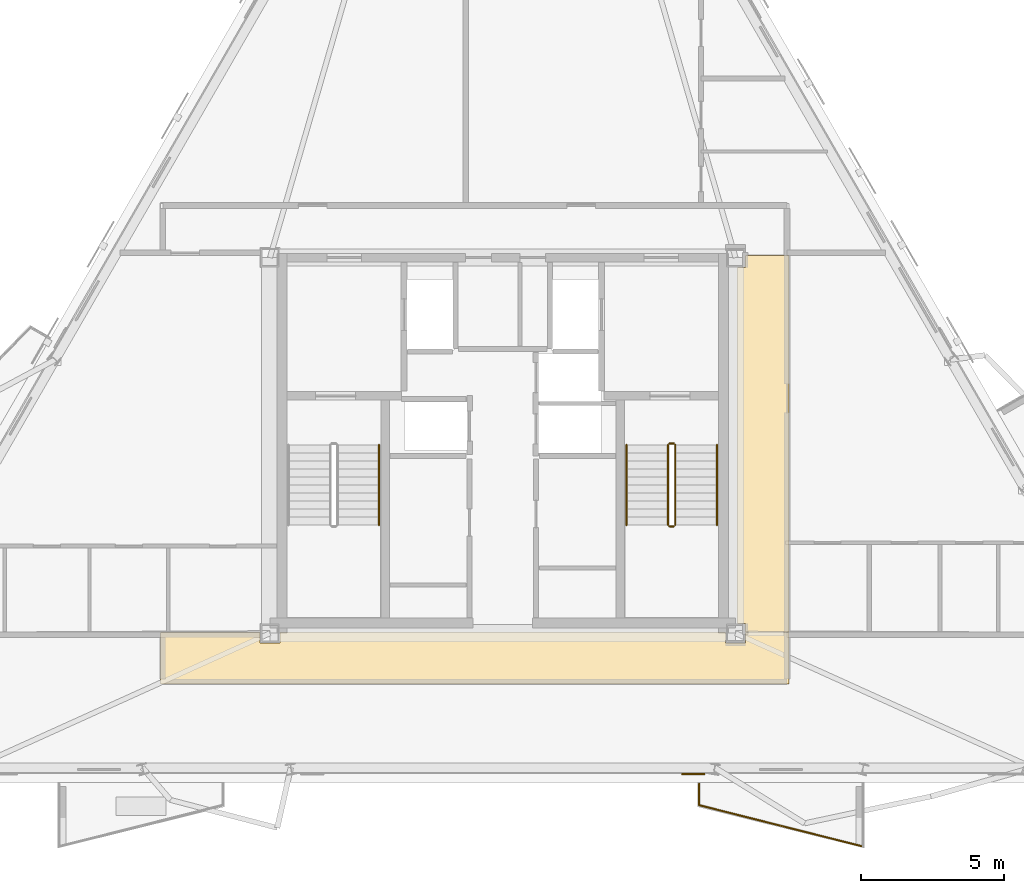
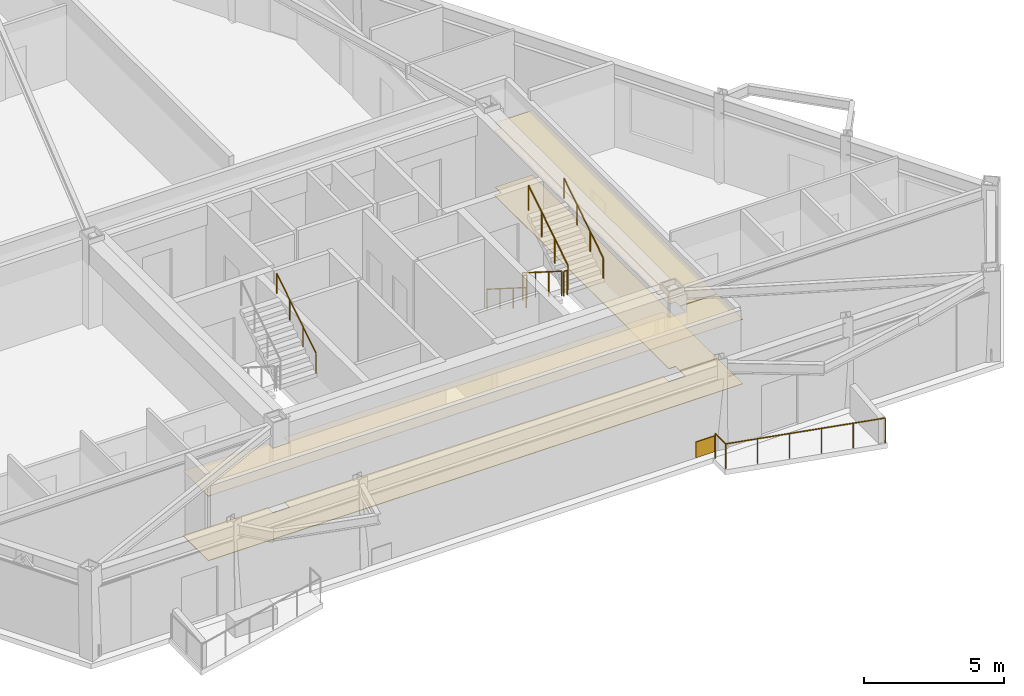
# One storey, part 7 of 9: 9 railings, 5 coverings.
"""IFC4 building model written with IfcOpenShell, lengths in metres."""

from ifc_helpers import new_model, si_unit, direction, frame, origin, origin_2d, place, context, subcontext, project, spatial, polyline, rectangle, circle, outline, extrude, material, layer, layer_set, type_object, element, save


model = new_model("IFC4")

# Units and contexts
model_context = context("Model", 3, precision=1e-05, world=origin(), true_north=direction((0.0, 1.0)))
body_context = subcontext(model_context, "Body", "Model", "MODEL_VIEW")
ifc_project = project(units=[si_unit("LENGTHUNIT", "METRE"), si_unit("AREAUNIT", "SQUARE_METRE"), si_unit("VOLUMEUNIT", "CUBIC_METRE"), si_unit("PLANEANGLEUNIT", "RADIAN"), si_unit("MASSUNIT", "GRAM", prefix="KILO")], contexts=[model_context])

# Site, building, storey
site_placement = place(None, origin())
site = spatial("IfcSite", under=ifc_project, at=site_placement, CompositionType="ELEMENT")
building_placement = place(site_placement, origin())
building = spatial("IfcBuilding", under=site, at=building_placement, Name="Oramaril Tower", CompositionType="ELEMENT")
storey_placement = place(building_placement, frame((0.0, 0.0, 249.89990234375)))
storey = spatial("IfcBuildingStorey", under=building, at=storey_placement, Name="L66", CompositionType="ELEMENT", Elevation=249.89990234375)

# Coverings
ifc_material_1 = material(Name="Mineral Fibre Acoustic Ceiling")
ifc_layer_1 = layer(ifc_material_1, 0.02001953125)
ifc_layer_set_1 = layer_set([ifc_layer_1], Name="CVT-CEIL")
covering_type_1 = type_object("IfcCoveringType", Name="CVT-CEIL", PredefinedType="CEILING", material=ifc_layer_set_1)
covering_1_placement = place(storey_placement, frame((0.0, 0.0, 2.81201171875)))
element("IfcCovering", 1, at=covering_1_placement, inside=storey, type_object=covering_type_1, Name="L66 Acoustic Suspended Ceiling 1", PredefinedType="CEILING", context=body_context, shape_type="SweptSolid", body=[
    extrude(outline(polyline([(29.0048828125, 10.655029296875), (29.695068359375, 10.655029296875), (29.695068359375, 11.030029296875), (45.304931640625, 11.030029296875), (45.304931640625, 10.655029296875), (45.9951171875, 10.655029296875), (45.9951171875, 11.030029296875), (47.530029296875, 11.030029296875), (47.530029296875, 9.219970703125), (25.52001953125, 9.219970703125), (25.52001953125, 11.030029296875), (29.0048828125, 11.030029296875), (29.0048828125, 10.655029296875)])), origin(), (0.0, 0.0, 1.0), 0.02001953125),
])
covering_2_placement = place(storey_placement, frame((0.0, 0.0, 2.81201171875)))
element("IfcCovering", 2, at=covering_2_placement, inside=storey, type_object=covering_type_1, Name="L66 Acoustic Suspended Ceiling 3", PredefinedType="CEILING", context=body_context, shape_type="SweptSolid", body=[
    extrude(outline(polyline([(47.530029296875, 11.050048828125), (45.9951171875, 11.050048828125), (45.9951171875, 11.344970703125), (45.719970703125, 11.344970703125), (45.719970703125, 23.804931640625), (45.9951171875, 23.804931640625), (45.9951171875, 24.219970703125), (47.530029296875, 24.219970703125), (47.530029296875, 11.050048828125)])), origin(), (0.0, 0.0, 1.0), 0.02001953125),
])
ifc_material_2 = material(Name="Warm Cream Limestone", Category="masonry")
ifc_layer_2 = layer(ifc_material_2, 0.050048828125)
ifc_layer_set_2 = layer_set([ifc_layer_2], Name="CVT-CLD")
covering_type_2 = type_object("IfcCoveringType", Name="CVT-CLD", PredefinedType="CLADDING", material=ifc_layer_set_2)
covering_3_placement = place(storey_placement, frame((44.16943359375, 6.0625, 0.0400390625), z_axis=(0.0, 0.0, 1.0), x_axis=(1.0, 0.0, 0.0)))
element("IfcCovering", 3, at=covering_3_placement, inside=storey, type_object=covering_type_2, Name="L66 Warm Cream Limestone Spandrel Cladding", PredefinedType="CLADDING", context=body_context, shape_type="SweptSolid", body=[
    extrude(rectangle(XDim=0.800048828125, YDim=0.050048828125, at=origin_2d()), origin(), (0.0, 0.0, 1.0), 0.679931640625),
])
ifc_material_3 = material(Name="Honed Quartzite Stone Flooring", Category="masonry")
ifc_layer_3 = layer(ifc_material_3, 0.02490234375)
ifc_layer_set_3 = layer_set([ifc_layer_3], Name="CVT-FLR")
covering_type_3 = type_object("IfcCoveringType", Name="CVT-FLR", PredefinedType="FLOORING", material=ifc_layer_set_3)
covering_4_placement = place(storey_placement, origin())
element("IfcCovering", 4, at=covering_4_placement, inside=storey, type_object=covering_type_3, Name="L66 Honed Stone Floor Finish 1", PredefinedType="FLOORING", context=body_context, shape_type="SweptSolid", body=[
    extrude(outline(polyline([(29.0048828125, 10.655029296875), (29.695068359375, 10.655029296875), (29.695068359375, 11.030029296875), (45.304931640625, 11.030029296875), (45.304931640625, 10.655029296875), (45.9951171875, 10.655029296875), (45.9951171875, 11.030029296875), (47.530029296875, 11.030029296875), (47.530029296875, 9.219970703125), (25.52001953125, 9.219970703125), (25.52001953125, 11.030029296875), (29.0048828125, 11.030029296875), (29.0048828125, 10.655029296875)])), origin(), (0.0, 0.0, 1.0), 0.025146484375),
])
covering_5_placement = place(storey_placement, origin())
element("IfcCovering", 5, at=covering_5_placement, inside=storey, type_object=covering_type_3, Name="L66 Honed Stone Floor Finish 3", PredefinedType="FLOORING", context=body_context, shape_type="SweptSolid", body=[
    extrude(outline(polyline([(47.530029296875, 11.050048828125), (45.9951171875, 11.050048828125), (45.9951171875, 11.344970703125), (45.719970703125, 11.344970703125), (45.719970703125, 23.804931640625), (45.9951171875, 23.804931640625), (45.9951171875, 24.219970703125), (47.530029296875, 24.219970703125), (47.530029296875, 11.050048828125)])), origin(), (0.0, 0.0, 1.0), 0.025146484375),
])

# Railings
ifc_material_4 = material(Name="Stainless Steel 316L", Category="steel")
railing_type_1 = type_object("IfcRailingType", Name="RLT-GRD", PredefinedType="GUARDRAIL", material=ifc_material_4)
railing_1_placement = place(storey_placement, frame((50.106689453125, 3.530517578125, 0.0)))
element("IfcRailing", 6, at=railing_1_placement, inside=storey, type_object=railing_type_1, Name="L66 Balcony Guardrail L66-BAL-S2.2", PredefinedType="GUARDRAIL", context=body_context, shape_type="SweptSolid", body=[
    extrude(circle(Radius=0.02392578125, at=origin_2d()), frame((0.0, 0.0, 1.076171875), z_axis=(-0.969443611257, 0.245314256807, 0.0), x_axis=(-0.245314256807, -0.969443611257, 0.0)), (0.0, 0.0, 1.0), 5.91064453125),
    extrude(circle(Radius=0.02099609375, at=origin_2d()), origin(), (0.0, 0.0, 1.0), 1.052001953125),
    extrude(circle(Radius=0.02099609375, at=origin_2d()), frame((-1.14599609375, 0.2900390625, 0.0)), (0.0, 0.0, 1.0), 1.052001953125),
    extrude(circle(Radius=0.02099609375, at=origin_2d()), frame((-2.2919921875, 0.580078125, 0.0)), (0.0, 0.0, 1.0), 1.052001953125),
    extrude(circle(Radius=0.02099609375, at=origin_2d()), frame((-3.43798828125, 0.869873046875, 0.0)), (0.0, 0.0, 1.0), 1.052001953125),
    extrude(circle(Radius=0.02099609375, at=origin_2d()), frame((-4.583984375, 1.159912109375, 0.0)), (0.0, 0.0, 1.0), 1.052001953125),
    extrude(circle(Radius=0.02099609375, at=origin_2d()), frame((-5.72998046875, 1.449951171875, 0.0)), (0.0, 0.0, 1.0), 1.052001953125),
])
railing_2_placement = place(storey_placement, frame((44.376708984375, 4.98046875, 0.0)))
element("IfcRailing", 7, at=railing_2_placement, inside=storey, type_object=railing_type_1, Name="L66 Balcony Guardrail L66-BAL-S2.3", PredefinedType="GUARDRAIL", context=body_context, shape_type="SweptSolid", body=[
    extrude(circle(Radius=0.02392578125, at=origin_2d()), frame((0.0, 0.0, 1.076171875), z_axis=(0.0, 1.0, 0.0), x_axis=(-1.0, 0.0, 0.0)), (0.0, 0.0, 1.0), 0.741943359375),
    extrude(circle(Radius=0.02099609375, at=origin_2d()), origin(), (0.0, 0.0, 1.0), 1.052001953125),
    extrude(circle(Radius=0.02099609375, at=origin_2d()), frame((0.0, 0.741943359375, 0.0)), (0.0, 0.0, 1.0), 1.052001953125),
])
railing_3_placement = place(storey_placement, frame((43.2900390625, 17.590087890625, 0.177490234375)))
element("IfcRailing", 8, at=railing_3_placement, inside=storey, type_object=railing_type_1, Name="L66 ST-2 stair guard 1", PredefinedType="GUARDRAIL", context=body_context, shape_type="SweptSolid", body=[
    extrude(circle(Radius=0.02392578125, at=origin_2d()), frame((0.0, 0.0, 1.076171875), z_axis=(0.0, -0.844908973607, 0.534910110503), x_axis=(1.0, 0.0, 0.0)), (0.0, 0.0, 1.0), 3.31396484375),
    extrude(circle(Radius=0.02099609375, at=origin_2d()), origin(), (0.0, 0.0, 1.0), 1.052001953125),
    extrude(circle(Radius=0.02099609375, at=origin_2d()), frame((0.0, -0.933349609375, 0.5908203125)), (0.0, 0.0, 1.0), 1.052001953125),
    extrude(circle(Radius=0.02099609375, at=origin_2d()), frame((0.0, -1.86669921875, 1.181884765625)), (0.0, 0.0, 1.0), 1.052001953125),
    extrude(circle(Radius=0.02099609375, at=origin_2d()), frame((0.0, -2.800048828125, 1.772705078125)), (0.0, 0.0, 1.0), 1.052001953125),
])
railing_4_placement = place(storey_placement, frame((43.340087890625, 14.739990234375, 1.9501953125)))
element("IfcRailing", 9, at=railing_4_placement, inside=storey, type_object=railing_type_1, Name="L66 ST-2 stair guard 2", PredefinedType="GUARDRAIL", context=body_context, shape_type="SweptSolid", body=[
    extrude(circle(Radius=0.02392578125, at=origin_2d()), frame((0.0, 0.0, 1.076171875), z_axis=(1.0, 0.0, 0.0), x_axis=(0.0, 1.0, 0.0)), (0.0, 0.0, 1.0), 0.14990234375),
    extrude(circle(Radius=0.02099609375, at=origin_2d()), origin(), (0.0, 0.0, 1.0), 1.052001953125),
    extrude(circle(Radius=0.02099609375, at=origin_2d()), frame((0.14990234375, 0.0, 0.0)), (0.0, 0.0, 1.0), 1.052001953125),
])
railing_5_placement = place(storey_placement, frame((43.5400390625, 14.7900390625, 2.12744140625)))
element("IfcRailing", 10, at=railing_5_placement, inside=storey, type_object=railing_type_1, Name="L66 ST-2 stair guard 3", PredefinedType="GUARDRAIL", context=body_context, shape_type="SweptSolid", body=[
    extrude(circle(Radius=0.02392578125, at=origin_2d()), frame((0.0, 0.0, 1.076171875), z_axis=(0.0, 0.844908973607, 0.534910110503), x_axis=(-1.0, 0.0, 0.0)), (0.0, 0.0, 1.0), 3.31396484375),
    extrude(circle(Radius=0.02099609375, at=origin_2d()), origin(), (0.0, 0.0, 1.0), 1.052001953125),
    extrude(circle(Radius=0.02099609375, at=origin_2d()), frame((0.0, 0.933349609375, 0.5908203125)), (0.0, 0.0, 1.0), 1.052001953125),
    extrude(circle(Radius=0.02099609375, at=origin_2d()), frame((0.0, 1.86669921875, 1.181884765625)), (0.0, 0.0, 1.0), 1.052001953125),
    extrude(circle(Radius=0.02099609375, at=origin_2d()), frame((0.0, 2.800048828125, 1.772705078125)), (0.0, 0.0, 1.0), 1.052001953125),
])
railing_6_placement = place(storey_placement, frame((43.340087890625, 17.639892578125, 0.0)))
element("IfcRailing", 11, at=railing_6_placement, inside=storey, type_object=railing_type_1, Name="L66 ST-2 stair guard 4", PredefinedType="GUARDRAIL", context=body_context, shape_type="SweptSolid", body=[
    extrude(circle(Radius=0.02392578125, at=origin_2d()), frame((0.0, 0.0, 1.076171875), z_axis=(1.0, 0.0, 0.0), x_axis=(0.0, 1.0, 0.0)), (0.0, 0.0, 1.0), 0.14990234375),
    extrude(circle(Radius=0.02099609375, at=origin_2d()), origin(), (0.0, 0.0, 1.0), 1.052001953125),
    extrude(circle(Radius=0.02099609375, at=origin_2d()), frame((0.14990234375, 0.0, 0.0)), (0.0, 0.0, 1.0), 1.052001953125),
])
ifc_material_5 = material(Name="Stainless Steel 316L", Category="steel")
railing_type_2 = type_object("IfcRailingType", Name="RLT-HND", PredefinedType="HANDRAIL", material=ifc_material_5)
railing_7_placement = place(storey_placement, frame((33.169921875, 14.7900390625, 2.12744140625)))
element("IfcRailing", 12, at=railing_7_placement, inside=storey, type_object=railing_type_2, Name="L66 ST-1 stair handrail 2", PredefinedType="HANDRAIL", context=body_context, shape_type="SweptSolid", body=[
    extrude(circle(Radius=0.02392578125, at=origin_2d()), frame((0.0, 0.0, 0.8759765625), z_axis=(0.0, 0.844908973607, 0.534910110503), x_axis=(-1.0, 0.0, 0.0)), (0.0, 0.0, 1.0), 3.31396484375),
    extrude(circle(Radius=0.02099609375, at=origin_2d()), origin(), (0.0, 0.0, 1.0), 0.851806640625),
    extrude(circle(Radius=0.02099609375, at=origin_2d()), frame((0.0, 0.933349609375, 0.5908203125)), (0.0, 0.0, 1.0), 0.851806640625),
    extrude(circle(Radius=0.02099609375, at=origin_2d()), frame((0.0, 1.86669921875, 1.181884765625)), (0.0, 0.0, 1.0), 0.851806640625),
    extrude(circle(Radius=0.02099609375, at=origin_2d()), frame((0.0, 2.800048828125, 1.772705078125)), (0.0, 0.0, 1.0), 0.851806640625),
])
railing_8_placement = place(storey_placement, frame((41.830078125, 17.590087890625, 0.177490234375)))
element("IfcRailing", 13, at=railing_8_placement, inside=storey, type_object=railing_type_2, Name="L66 ST-2 stair handrail 1", PredefinedType="HANDRAIL", context=body_context, shape_type="SweptSolid", body=[
    extrude(circle(Radius=0.02392578125, at=origin_2d()), frame((0.0, 0.0, 0.8759765625), z_axis=(0.0, -0.844908973607, 0.534910110503), x_axis=(1.0, 0.0, 0.0)), (0.0, 0.0, 1.0), 3.31396484375),
    extrude(circle(Radius=0.02099609375, at=origin_2d()), origin(), (0.0, 0.0, 1.0), 0.851806640625),
    extrude(circle(Radius=0.02099609375, at=origin_2d()), frame((0.0, -0.933349609375, 0.5908203125)), (0.0, 0.0, 1.0), 0.851806640625),
    extrude(circle(Radius=0.02099609375, at=origin_2d()), frame((0.0, -1.86669921875, 1.181884765625)), (0.0, 0.0, 1.0), 0.851806640625),
    extrude(circle(Radius=0.02099609375, at=origin_2d()), frame((0.0, -2.800048828125, 1.772705078125)), (0.0, 0.0, 1.0), 0.851806640625),
])
railing_9_placement = place(storey_placement, frame((45.0, 14.7900390625, 2.12744140625)))
element("IfcRailing", 14, at=railing_9_placement, inside=storey, type_object=railing_type_2, Name="L66 ST-2 stair handrail 2", PredefinedType="HANDRAIL", context=body_context, shape_type="SweptSolid", body=[
    extrude(circle(Radius=0.02392578125, at=origin_2d()), frame((0.0, 0.0, 0.8759765625), z_axis=(0.0, 0.844908973607, 0.534910110503), x_axis=(-1.0, 0.0, 0.0)), (0.0, 0.0, 1.0), 3.31396484375),
    extrude(circle(Radius=0.02099609375, at=origin_2d()), origin(), (0.0, 0.0, 1.0), 0.851806640625),
    extrude(circle(Radius=0.02099609375, at=origin_2d()), frame((0.0, 0.933349609375, 0.5908203125)), (0.0, 0.0, 1.0), 0.851806640625),
    extrude(circle(Radius=0.02099609375, at=origin_2d()), frame((0.0, 1.86669921875, 1.181884765625)), (0.0, 0.0, 1.0), 0.851806640625),
    extrude(circle(Radius=0.02099609375, at=origin_2d()), frame((0.0, 2.800048828125, 1.772705078125)), (0.0, 0.0, 1.0), 0.851806640625),
])

save(model, "model.ifc")
